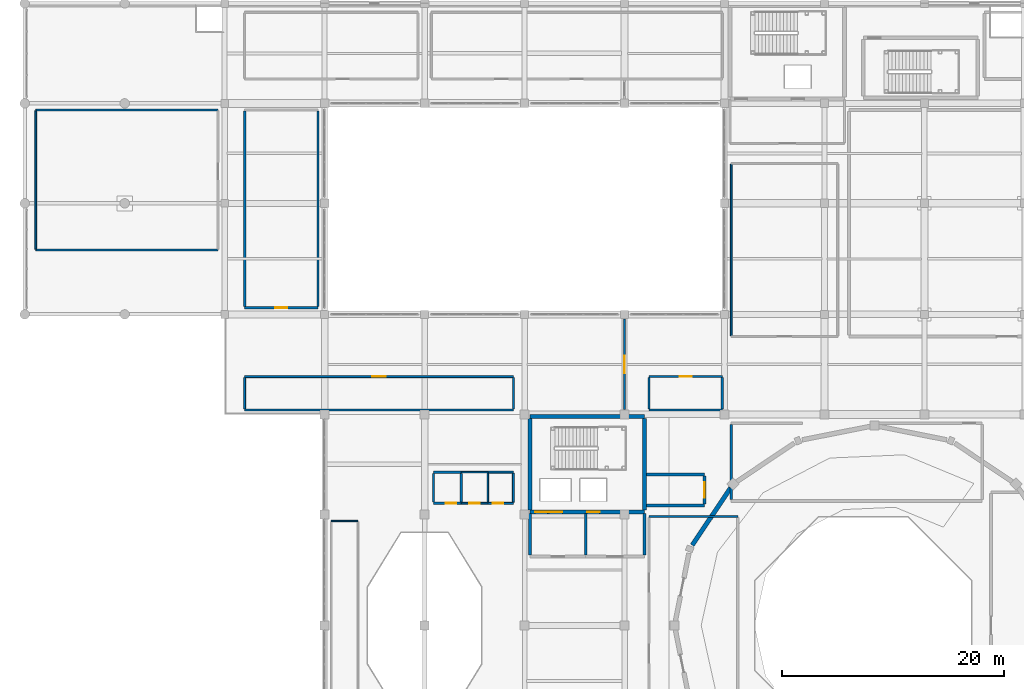
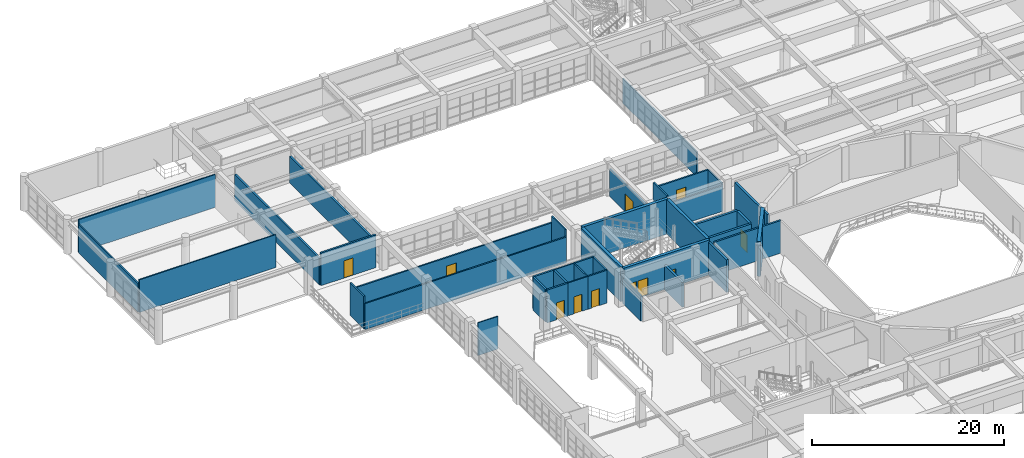
# One storey, part 111 of 133: 40 walls, 11 doors, 11 openings.
"""IFC4 building model written with IfcOpenShell, lengths in metres."""

import ifcopenshell
import ifcopenshell.guid

model = None  # the IFC model being written
_history = None  # IfcOwnerHistory: only IFC2X3 demands one
_inside = {}  # id of a spatial element -> (the spatial element, [elements in it])
_under = {}  # id of a project, library or spatial element -> (it, [spatial elements below it])
_declared = {}  # id of a project -> (the project, [libraries it declares])
_typed = {}  # id of a type object -> (the type object, [elements of that type])
_made_of = {}  # id of a material, layer set ... -> (it, [elements and type objects made of it])


def new_model(schema):
    """Start an empty IFC model of exactly this schema.

    Asked for "IFC4X3", IfcOpenShell would pick the latest addendum, in which some entities
    have other attributes; the version numbers below select the first issue.
    IFC2X3 requires an IfcOwnerHistory on every rooted entity: one is made here for all.
    """
    global model, _history
    if schema == "IFC4X3":
        model = ifcopenshell.file(schema_version=(4, 3, 0, 0))
    else:
        model = ifcopenshell.file(schema=schema)
    _inside.clear()
    _under.clear()
    _declared.clear()
    _typed.clear()
    _made_of.clear()
    _history = None
    if model.schema == "IFC2X3":
        org = make("IfcOrganization", Name="unknown")
        user = make(
            "IfcPersonAndOrganization",
            ThePerson=make("IfcPerson", FamilyName="unknown"),
            TheOrganization=org,
        )
        app = make(
            "IfcApplication",
            ApplicationDeveloper=org,
            Version="unknown",
            ApplicationFullName="unknown",
            ApplicationIdentifier="unknown",
        )
        _history = make(
            "IfcOwnerHistory",
            OwningUser=user,
            OwningApplication=app,
            ChangeAction="ADDED",
            CreationDate=0,
        )
    return model


def make(cls, **values):
    """One entity of the class cls with the attributes given. An attribute that is None is left unset."""
    return model.create_entity(
        cls, **{name: value for name, value in values.items() if value is not None}
    )


def rooted(cls, **values):
    """An entity with a GlobalId (a new one), such as an element, a storey or a relation."""
    return make(cls, GlobalId=ifcopenshell.guid.new(), OwnerHistory=_history, **values)


def si_unit(unit_type, name, prefix=None):
    """IfcSIUnit, for example si_unit("LENGTHUNIT", "METRE", prefix="MILLI")."""
    return make("IfcSIUnit", UnitType=unit_type, Prefix=prefix, Name=name)


def assignment(units):
    """IfcUnitAssignment: the units of a project."""
    return None if units is None else make("IfcUnitAssignment", Units=units)


def point(xyz):
    """IfcCartesianPoint."""
    return None if xyz is None else make("IfcCartesianPoint", Coordinates=xyz)


def direction(xyz):
    """IfcDirection."""
    return None if xyz is None else make("IfcDirection", DirectionRatios=xyz)


def frame(location, z_axis=None, x_axis=None):
    """IfcAxis2Placement3D, a coordinate frame: its origin and axes. An axis left out is left unset."""
    return make(
        "IfcAxis2Placement3D",
        Location=point(location),
        Axis=direction(z_axis),
        RefDirection=direction(x_axis),
    )


def frame_2d(location, x_axis=None):
    """IfcAxis2Placement2D, a coordinate frame in the plane: its origin and x axis."""
    return make(
        "IfcAxis2Placement2D", Location=point(location), RefDirection=direction(x_axis)
    )


def origin():
    """The frame at (0, 0, 0) with its axes left unset."""
    return frame((0.0, 0.0, 0.0))


def place(relative_to, where):
    """IfcLocalPlacement: puts the frame where relative to a parent placement (None: the world)."""
    return make(
        "IfcLocalPlacement", PlacementRelTo=relative_to, RelativePlacement=where
    )


def context(
    kind, dimensions, precision=None, world=None, true_north=None, identifier=None
):
    """IfcGeometricRepresentationContext, for example the 3D "Model" context."""
    return make(
        "IfcGeometricRepresentationContext",
        ContextIdentifier=identifier,
        ContextType=kind,
        CoordinateSpaceDimension=dimensions,
        Precision=precision,
        WorldCoordinateSystem=world,
        TrueNorth=true_north,
    )


def subcontext(parent, identifier, kind, view, scale=None):
    """IfcGeometricRepresentationSubContext, for example "Body" below "Model"."""
    return make(
        "IfcGeometricRepresentationSubContext",
        ContextIdentifier=identifier,
        ContextType=kind,
        ParentContext=parent,
        TargetScale=scale,
        TargetView=view,
    )


def project(units=None, contexts=None):
    """IfcProject with its units and contexts."""
    return rooted(
        "IfcProject",
        Name="project",
        RepresentationContexts=contexts,
        UnitsInContext=assignment(units),
    )


def spatial(cls, under=None, at=None, **own):
    """A site, building, storey or space (cls), placed at a placement, below another one or the project."""
    s = rooted(cls, ObjectPlacement=at, **own)
    if under is not None:
        _under.setdefault(under.id(), (under, []))[1].append(s)
    return s


def profile(cls, at=None, kind="AREA", **sizes):
    """A parametric profile (cls). Its sizes go by their IFC names, for example OverallWidth=200.0."""
    return make(cls, ProfileType=kind, Position=at, **sizes)


def rectangle(**sizes):
    """IfcRectangleProfileDef."""
    return profile("IfcRectangleProfileDef", **sizes)


def extrude(swept, where, along, depth):
    """IfcExtrudedAreaSolid: the profile swept, set in the frame where, extruded along a direction by depth."""
    return make(
        "IfcExtrudedAreaSolid",
        SweptArea=swept,
        Position=where,
        ExtrudedDirection=direction(along),
        Depth=depth,
    )


def shape(context_of_items, identifier, shape_type, items):
    """IfcShapeRepresentation: the items that make up one representation, for example the "Body"."""
    return make(
        "IfcShapeRepresentation",
        ContextOfItems=context_of_items,
        RepresentationIdentifier=identifier,
        RepresentationType=shape_type,
        Items=items,
    )


def material(Name=None, Category=None):
    """IfcMaterial."""
    return make("IfcMaterial", Name=Name, Category=Category)


def layer(
    of_material, thickness, ventilated=None, Name=None, Category=None, Priority=None
):
    """IfcMaterialLayer: one layer of a wall or slab, of a material (None: an air gap)."""
    return make(
        "IfcMaterialLayer",
        Material=of_material,
        LayerThickness=thickness,
        IsVentilated=ventilated,
        Name=Name,
        Category=Category,
        Priority=Priority,
    )


def layer_set(layers, Name=None):
    """IfcMaterialLayerSet."""
    return make("IfcMaterialLayerSet", MaterialLayers=layers, LayerSetName=Name)


def made_of(thing, what):
    """Note that an element or type object is made of a material, layer set ...; save() writes the relation."""
    if what is not None:
        _made_of.setdefault(what.id(), (what, []))[1].append(thing)
    return thing


def type_object(cls, material=None, **own):
    """A type object (cls), such as IfcWallType, which elements share."""
    return made_of(rooted(cls, **own), material)


def element(
    cls,
    number,
    at=None,
    inside=None,
    cuts=None,
    type_object=None,
    material=None,
    context=None,
    identifier="Body",
    shape_type=None,
    held_by="IfcProductDefinitionShape",
    body=None,
    shapes=None,
    **own,
):
    """One element of the class cls, such as IfcWall. Its Tag is "e" and its number.

    at: its placement. inside: the storey or other place that contains it. cuts: it is an
    opening in that element (IfcRelVoidsElement). A single representation is given by context,
    identifier, shape_type and body (its items); several are given by shapes. held_by: the class
    of the entity that holds the representations. save() writes the other relations.
    """
    e = rooted(cls, Tag="e%d" % number, ObjectPlacement=at, **own)
    if body is not None:
        shapes = [shape(context, identifier, shape_type, body)]
    if shapes is not None:
        e.Representation = make(held_by, Representations=shapes)
    if inside is not None:
        _inside.setdefault(inside.id(), (inside, []))[1].append(e)
    if cuts is not None:
        rooted(
            "IfcRelVoidsElement", RelatingBuildingElement=cuts, RelatedOpeningElement=e
        )
    if type_object is not None:
        _typed.setdefault(type_object.id(), (type_object, []))[1].append(e)
    return made_of(e, material)


def fill(opening, filler):
    """IfcRelFillsElement: the door or window that sits in an opening."""
    return rooted(
        "IfcRelFillsElement",
        RelatingOpeningElement=opening,
        RelatedBuildingElement=filler,
    )


def aggregate(whole, parts):
    """IfcRelAggregates: a whole, such as a stair, and the parts it consists of."""
    return rooted("IfcRelAggregates", RelatingObject=whole, RelatedObjects=parts)


def save(model, path):
    """Write the relations noted so far, then the file.

    IfcRelAggregates (storeys below a building ...), IfcRelContainedInSpatialStructure (elements
    in a storey), IfcRelDefinesByType, IfcRelAssociatesMaterial and IfcRelDeclares: one each for
    every whole, place, type object, material and project.
    """
    for whole, parts in _under.values():
        aggregate(whole, parts)
    for where, things in _inside.values():
        rooted(
            "IfcRelContainedInSpatialStructure",
            RelatedElements=things,
            RelatingStructure=where,
        )
    for kind, things in _typed.values():
        rooted("IfcRelDefinesByType", RelatedObjects=things, RelatingType=kind)
    for what, things in _made_of.values():
        rooted("IfcRelAssociatesMaterial", RelatedObjects=things, RelatingMaterial=what)
    for by, libraries in _declared.values():
        rooted("IfcRelDeclares", RelatingContext=by, RelatedDefinitions=libraries)
    model.write(path)


model = new_model("IFC4")

# Units and contexts
model_context = context("Model", 3, precision=1e-05, world=origin(), true_north=direction((0.0, 1.0)))
body_context = subcontext(model_context, "Body", "Model", "MODEL_VIEW")
ifc_project = project(units=[si_unit("LENGTHUNIT", "METRE"), si_unit("AREAUNIT", "SQUARE_METRE"), si_unit("VOLUMEUNIT", "CUBIC_METRE"), si_unit("PLANEANGLEUNIT", "RADIAN"), si_unit("MASSUNIT", "GRAM", prefix="KILO")], contexts=[model_context])

# Site, building, storey
site_placement = place(None, origin())
site = spatial("IfcSite", under=ifc_project, at=site_placement, CompositionType="ELEMENT")
building_placement = place(site_placement, origin())
building = spatial("IfcBuilding", under=site, at=building_placement, Name="Miravela Opera House", CompositionType="ELEMENT")
storey_placement = place(building_placement, frame((0.0, 0.0, 5.10009765625)))
storey = spatial("IfcBuildingStorey", under=building, at=storey_placement, Name="L01", CompositionType="ELEMENT", Elevation=5.10009765625)

# Wall, opening, door
ifc_material_1 = material(Name="Sanitary chase acoustic plumbing wall")
ifc_layer_1 = layer(ifc_material_1, 0.139892578125)
ifc_layer_set_1 = layer_set([ifc_layer_1])
wall_type_1 = type_object("IfcWallType", Name="ARC-PLW-150", PredefinedType="PLUMBINGWALL", material=ifc_layer_set_1)
wall_1_placement = place(storey_placement, frame((39.300048828125, 67.0, 0.0), z_axis=(0.0, 0.0, 1.0), x_axis=(1.0, 0.0, 0.0)))
wall_1 = element("IfcWall", 1, at=wall_1_placement, inside=storey, type_object=wall_type_1, Name="Female Public WC L01 Partition South", PredefinedType="PLUMBINGWALL", context=body_context, shape_type="SweptSolid", body=[
    extrude(rectangle(XDim=2.39990234375, YDim=0.139892578125, at=frame_2d((1.199951171875, 0.0))), origin(), (0.0, 0.0, 1.0), 4.159912109375),
])
opening_1_placement = place(wall_1_placement, frame((0.72509765625, 0.0, 0.0)))
opening_1 = element("IfcOpeningElement", 2, at=opening_1_placement, cuts=wall_1, Name="Opening ID-01", PredefinedType="OPENING", context=body_context, shape_type="SweptSolid", body=[
    extrude(rectangle(XDim=0.949951171875, YDim=2.14990234375, at=frame_2d((0.47509765625, 1.074951171875))), frame((0.0, 0.079833984375, 0.0), z_axis=(0.0, -1.0, 0.0), x_axis=(1.0, 0.0, 0.0)), (0.0, 0.0, 1.0), 0.159912109375),
])
ifc_material_2 = material(Name="Solid mahogany acoustic room door")
door_type_1 = type_object("IfcDoorType", Name="ARC-DR-950X2150", OperationType="NOTDEFINED", PredefinedType="DOOR", material=ifc_material_2)
door_1_placement = place(opening_1_placement, origin())
door_1 = element("IfcDoor", 3, at=door_1_placement, inside=storey, type_object=door_type_1, Name="Female Public WC L01 Entry Door IDR-L01-0160", OperationType="SINGLE_SWING_RIGHT", OverallHeight=2.14990234375, OverallWidth=0.949951171875, PredefinedType="DOOR", context=body_context, shape_type="SweptSolid", body=[
    extrude(rectangle(XDim=0.949951171875, YDim=2.14990234375, at=frame_2d((0.47509765625, 1.074951171875))), frame((0.0, 0.02490234375, 0.0), z_axis=(0.0, -1.0, 0.0), x_axis=(1.0, 0.0, 0.0)), (0.0, 0.0, 1.0), 0.050048828125),
])
fill(opening_1, door_1)

# Walls
wall_2_placement = place(storey_placement, frame((39.300048828125, 69.800048828125, 0.0), z_axis=(0.0, 0.0, 1.0), x_axis=(1.0, 0.0, 0.0)))
element("IfcWall", 4, at=wall_2_placement, inside=storey, type_object=wall_type_1, Name="Female Public WC L01 Partition North", PredefinedType="PLUMBINGWALL", context=body_context, shape_type="SweptSolid", body=[
    extrude(rectangle(XDim=2.39990234375, YDim=0.139892578125, at=frame_2d((1.199951171875, 0.0))), origin(), (0.0, 0.0, 1.0), 4.159912109375),
])
wall_3_placement = place(storey_placement, frame((41.699951171875, 67.070068359375, 0.0), z_axis=(0.0, 0.0, 1.0), x_axis=(0.0, 1.0, 0.0)))
element("IfcWall", 5, at=wall_3_placement, inside=storey, type_object=wall_type_1, Name="Female Public WC L01 Partition East", PredefinedType="PLUMBINGWALL", context=body_context, shape_type="SweptSolid", body=[
    extrude(rectangle(XDim=2.659912109375, YDim=0.139892578125, at=frame_2d((1.330078125, 0.0))), origin(), (0.0, 0.0, 1.0), 4.159912109375),
])

# Wall, opening, door
ifc_material_3 = material(Name="Public washroom wet-service chase wall")
ifc_layer_2 = layer(ifc_material_3, 0.179931640625)
ifc_layer_set_2 = layer_set([ifc_layer_2])
wall_type_2 = type_object("IfcWallType", Name="ARC-PLW-180", PredefinedType="PLUMBINGWALL", material=ifc_layer_set_2)
wall_4_placement = place(storey_placement, frame((41.699951171875, 67.0, 0.0), z_axis=(0.0, 0.0, 1.0), x_axis=(1.0, 0.0, 0.0)))
wall_4 = element("IfcWall", 6, at=wall_4_placement, inside=storey, type_object=wall_type_2, Name="Male Public WC L01 Partition South", PredefinedType="PLUMBINGWALL", context=body_context, shape_type="SweptSolid", body=[
    extrude(rectangle(XDim=2.300048828125, YDim=0.179931640625, at=frame_2d((1.14990234375, 0.0))), origin(), (0.0, 0.0, 1.0), 4.159912109375),
])
opening_2_placement = place(wall_4_placement, frame((0.4326171875, 0.0, 0.0)))
opening_2 = element("IfcOpeningElement", 7, at=opening_2_placement, cuts=wall_4, Name="Opening ID-01", PredefinedType="OPENING", context=body_context, shape_type="SweptSolid", body=[
    extrude(rectangle(XDim=0.949951171875, YDim=2.14990234375, at=frame_2d((0.47509765625, 1.074951171875))), frame((0.0, 0.099853515625, 0.0), z_axis=(0.0, -1.0, 0.0), x_axis=(1.0, 0.0, 0.0)), (0.0, 0.0, 1.0), 0.199951171875),
])
door_2_placement = place(opening_2_placement, origin())
door_2 = element("IfcDoor", 8, at=door_2_placement, inside=storey, type_object=door_type_1, Name="Male Public WC L01 Entry Door IDR-L01-0161", OperationType="SINGLE_SWING_LEFT", OverallHeight=2.14990234375, OverallWidth=0.949951171875, PredefinedType="DOOR", context=body_context, shape_type="SweptSolid", body=[
    extrude(rectangle(XDim=0.949951171875, YDim=2.14990234375, at=frame_2d((0.47509765625, 1.074951171875))), frame((0.0, 0.02490234375, 0.0), z_axis=(0.0, -1.0, 0.0), x_axis=(1.0, 0.0, 0.0)), (0.0, 0.0, 1.0), 0.050048828125),
])
fill(opening_2, door_2)

# Walls
wall_5_placement = place(storey_placement, frame((41.699951171875, 69.800048828125, 0.0), z_axis=(0.0, 0.0, 1.0), x_axis=(1.0, 0.0, 0.0)))
element("IfcWall", 9, at=wall_5_placement, inside=storey, type_object=wall_type_2, Name="Male Public WC L01 Partition North", PredefinedType="PLUMBINGWALL", context=body_context, shape_type="SweptSolid", body=[
    extrude(rectangle(XDim=2.300048828125, YDim=0.179931640625, at=frame_2d((1.14990234375, 0.0))), origin(), (0.0, 0.0, 1.0), 4.159912109375),
])
wall_6_placement = place(storey_placement, frame((44.0, 67.090087890625, 0.0), z_axis=(0.0, 0.0, 1.0), x_axis=(0.0, 1.0, 0.0)))
element("IfcWall", 10, at=wall_6_placement, inside=storey, type_object=wall_type_2, Name="Male Public WC L01 Partition East", PredefinedType="PLUMBINGWALL", context=body_context, shape_type="SweptSolid", body=[
    extrude(rectangle(XDim=2.619873046875, YDim=0.179931640625, at=frame_2d((1.31005859375, 0.0))), origin(), (0.0, 0.0, 1.0), 4.159912109375),
])

# Wall, opening, door
ifc_material_4 = material(Name="Dressing suite sanitary chase wall")
ifc_layer_3 = layer(ifc_material_4, 0.219970703125)
ifc_layer_set_3 = layer_set([ifc_layer_3])
wall_type_3 = type_object("IfcWallType", Name="ARC-PLW-215", PredefinedType="PLUMBINGWALL", material=ifc_layer_set_3)
wall_7_placement = place(storey_placement, frame((36.800048828125, 67.0, 0.0), z_axis=(0.0, 0.0, 1.0), x_axis=(1.0, 0.0, 0.0)))
wall_7 = element("IfcWall", 11, at=wall_7_placement, inside=storey, type_object=wall_type_3, Name="Accessible WC L01 Partition South", PredefinedType="PLUMBINGWALL", context=body_context, shape_type="SweptSolid", body=[
    extrude(rectangle(XDim=2.5, YDim=0.219970703125, at=frame_2d((1.25, 0.0))), origin(), (0.0, 0.0, 1.0), 4.159912109375),
])
opening_3_placement = place(wall_7_placement, frame((1.1123046875, 0.0, 0.0)))
opening_3 = element("IfcOpeningElement", 12, at=opening_3_placement, cuts=wall_7, Name="Opening ID-01", PredefinedType="OPENING", context=body_context, shape_type="SweptSolid", body=[
    extrude(rectangle(XDim=0.949951171875, YDim=2.14990234375, at=frame_2d((0.47509765625, 1.074951171875))), frame((0.0, 0.119873046875, 0.0), z_axis=(0.0, -1.0, 0.0), x_axis=(1.0, 0.0, 0.0)), (0.0, 0.0, 1.0), 0.239990234375),
])
door_3_placement = place(opening_3_placement, origin())
door_3 = element("IfcDoor", 13, at=door_3_placement, inside=storey, type_object=door_type_1, Name="Accessible WC L01 Entry Door IDR-L01-0159", OperationType="SINGLE_SWING_LEFT", OverallHeight=2.14990234375, OverallWidth=0.949951171875, PredefinedType="DOOR", context=body_context, shape_type="SweptSolid", body=[
    extrude(rectangle(XDim=0.949951171875, YDim=2.14990234375, at=frame_2d((0.47509765625, 1.074951171875))), frame((0.0, 0.02490234375, 0.0), z_axis=(0.0, -1.0, 0.0), x_axis=(1.0, 0.0, 0.0)), (0.0, 0.0, 1.0), 0.050048828125),
])
fill(opening_3, door_3)

# Walls
wall_8_placement = place(storey_placement, frame((36.800048828125, 69.800048828125, 0.0), z_axis=(0.0, 0.0, 1.0), x_axis=(1.0, 0.0, 0.0)))
element("IfcWall", 14, at=wall_8_placement, inside=storey, type_object=wall_type_3, Name="Accessible WC L01 Partition North", PredefinedType="PLUMBINGWALL", context=body_context, shape_type="SweptSolid", body=[
    extrude(rectangle(XDim=2.5, YDim=0.219970703125, at=frame_2d((1.25, 0.0))), origin(), (0.0, 0.0, 1.0), 4.159912109375),
])
for number, where, z_axis, x_axis, name in (
    (15, (36.800048828125, 67.110107421875, 0.0), (0.0, 0.0, 1.0), (0.0, 1.0, 0.0), "Accessible WC L01 Partition West"),
    (16, (39.300048828125, 67.110107421875, 0.0), (0.0, 0.0, 1.0), (0.0, 1.0, 0.0), "Accessible WC L01 Partition East"),
):
    element("IfcWall", number, at=place(storey_placement, frame(where, z_axis=z_axis, x_axis=x_axis)), inside=storey, type_object=wall_type_3, Name=name, PredefinedType="PLUMBINGWALL", context=body_context, shape_type="SweptSolid", body=[
        extrude(rectangle(XDim=2.579833984375, YDim=0.219970703125, at=frame_2d((1.2900390625, 0.0))), origin(), (0.0, 0.0, 1.0), 4.159912109375),
    ])
ifc_material_5 = material(Name="Double-layer acoustic gypsum partition")
ifc_layer_4 = layer(ifc_material_5, 0.110107421875)
ifc_layer_set_4 = layer_set([ifc_layer_4])
wall_type_4 = type_object("IfcWallType", Name="ARC-PT-110", PredefinedType="PARTITIONING", material=ifc_layer_set_4)
wall_9_placement = place(storey_placement, frame((27.60009765625, 65.39990234375, 0.0), z_axis=(0.0, 0.0, 1.0), x_axis=(1.0, 0.0, 0.0)))
element("IfcWall", 17, at=wall_9_placement, inside=storey, type_object=wall_type_4, Name="Royal Box Reception and Portrait Gallery Partition North", PredefinedType="PARTITIONING", context=body_context, shape_type="SweptSolid", body=[
    extrude(rectangle(XDim=2.39990234375, YDim=0.110107421875, at=frame_2d((1.199951171875, 0.0))), origin(), (0.0, 0.0, 1.0), 4.159912109375),
])
ifc_material_6 = material(Name="Studio double-stud acoustic partition")
ifc_layer_5 = layer(ifc_material_6, 0.14990234375)
ifc_layer_set_5 = layer_set([ifc_layer_5])
wall_type_5 = type_object("IfcWallType", Name="ARC-PT-145", PredefinedType="PARTITIONING", material=ifc_layer_set_5)
for number, where, z_axis, x_axis, name in (
    (18, (1.0, 89.800048828125, 0.0), (0.0, 0.0, 1.0), (1.0, 0.0, 0.0), "Community Opera Lecture Room Partition South"),
    (19, (1.0, 102.39990234375, 0.0), (0.0, 0.0, 1.0), (1.0, 0.0, 0.0), "Community Opera Lecture Room Partition North"),
):
    element("IfcWall", number, at=place(storey_placement, frame(where, z_axis=z_axis, x_axis=x_axis)), inside=storey, type_object=wall_type_5, Name=name, PredefinedType="PARTITIONING", context=body_context, shape_type="SweptSolid", body=[
        extrude(rectangle(XDim=16.39990234375, YDim=0.14990234375, at=frame_2d((8.199951171875, 0.0))), origin(), (0.0, 0.0, 1.0), 4.159912109375),
    ])
wall_10_placement = place(storey_placement, frame((1.0, 89.875, 0.0), z_axis=(0.0, 0.0, 1.0), x_axis=(0.0, 1.0, 0.0)))
element("IfcWall", 20, at=wall_10_placement, inside=storey, type_object=wall_type_5, Name="Community Opera Lecture Room Partition West", PredefinedType="PARTITIONING", context=body_context, shape_type="SweptSolid", body=[
    extrude(rectangle(XDim=12.449951171875, YDim=0.14990234375, at=frame_2d((6.22509765625, 0.0))), origin(), (0.0, 0.0, 1.0), 3.616943359375),
])
wall_11_placement = place(storey_placement, frame((63.60009765625, 82.074951171875, 0.0), z_axis=(0.0, 0.0, 1.0), x_axis=(0.0, 1.0, 0.0)))
element("IfcWall", 21, at=wall_11_placement, inside=storey, type_object=wall_type_5, Name="Chamber Strings Practice Studio Partition West", PredefinedType="PARTITIONING", context=body_context, shape_type="SweptSolid", body=[
    extrude(rectangle(XDim=15.449951171875, YDim=0.14990234375, at=frame_2d((7.72509765625, 0.0))), origin(), (0.0, 0.0, 1.0), 3.139892578125),
])
ifc_material_7 = material(Name="Rehearsal isolated acoustic partition")
ifc_layer_6 = layer(ifc_material_7, 0.169921875)
ifc_layer_set_6 = layer_set([ifc_layer_6])
wall_type_6 = type_object("IfcWallType", Name="ARC-PT-170", PredefinedType="PARTITIONING", material=ifc_layer_set_6)
wall_12_placement = place(storey_placement, frame((19.800048828125, 75.39990234375, 0.0), z_axis=(0.0, 0.0, 1.0), x_axis=(1.0, 0.0, 0.0)))
element("IfcWall", 22, at=wall_12_placement, inside=storey, type_object=wall_type_6, Name="Strings Sectional Rehearsal Studio Partition South", PredefinedType="PARTITIONING", context=body_context, shape_type="SweptSolid", body=[
    extrude(rectangle(XDim=24.199951171875, YDim=0.169921875, at=frame_2d((12.10009765625, 0.0))), origin(), (0.0, 0.0, 1.0), 3.289794921875),
])

# Wall, opening, door
wall_13_placement = place(storey_placement, frame((19.800048828125, 78.39990234375, 0.0), z_axis=(0.0, 0.0, 1.0), x_axis=(1.0, 0.0, 0.0)))
wall_13 = element("IfcWall", 23, at=wall_13_placement, inside=storey, type_object=wall_type_6, Name="Strings Sectional Rehearsal Studio Partition North", PredefinedType="PARTITIONING", context=body_context, shape_type="SweptSolid", body=[
    extrude(rectangle(XDim=24.199951171875, YDim=0.169921875, at=frame_2d((12.10009765625, 0.0))), origin(), (0.0, 0.0, 1.0), 3.289794921875),
])
opening_4_placement = place(wall_13_placement, frame((11.5, 0.0, 0.0)))
opening_4 = element("IfcOpeningElement", 24, at=opening_4_placement, cuts=wall_13, Name="Opening ID-04", PredefinedType="OPENING", context=body_context, shape_type="SweptSolid", body=[
    extrude(rectangle(XDim=1.199951171875, YDim=2.199951171875, at=frame_2d((0.60009765625, 1.10009765625))), frame((0.0, 0.094970703125, 0.0), z_axis=(0.0, -1.0, 0.0), x_axis=(1.0, 0.0, 0.0)), (0.0, 0.0, 1.0), 0.18994140625),
])
ifc_material_8 = material(Name="Wide acoustic ensemble door")
door_type_2 = type_object("IfcDoorType", Name="ARC-DR-1200X2200", OperationType="NOTDEFINED", PredefinedType="DOOR", material=ifc_material_8)
door_4_placement = place(opening_4_placement, origin())
door_4 = element("IfcDoor", 25, at=door_4_placement, inside=storey, type_object=door_type_2, Name="Strings Sectional Rehearsal Studio Entry Door IDR-L01-0186", OperationType="SINGLE_SWING_LEFT", OverallHeight=2.199951171875, OverallWidth=1.199951171875, PredefinedType="DOOR", context=body_context, shape_type="SweptSolid", body=[
    extrude(rectangle(XDim=1.199951171875, YDim=2.199951171875, at=frame_2d((0.60009765625, 1.10009765625))), frame((0.0, 0.02490234375, 0.0), z_axis=(0.0, -1.0, 0.0), x_axis=(1.0, 0.0, 0.0)), (0.0, 0.0, 1.0), 0.050048828125),
])
fill(opening_4, door_4)

# Walls
for number, where, z_axis, x_axis, name in (
    (26, (19.800048828125, 75.485107421875, 0.0), (0.0, 0.0, 1.0), (0.0, 1.0, 0.0), "Strings Sectional Rehearsal Studio Partition West"),
    (27, (44.0, 75.485107421875, 0.0), (0.0, 0.0, 1.0), (0.0, 1.0, 0.0), "Strings Sectional Rehearsal Studio Partition East"),
):
    element("IfcWall", number, at=place(storey_placement, frame(where, z_axis=z_axis, x_axis=x_axis)), inside=storey, type_object=wall_type_6, Name=name, PredefinedType="PARTITIONING", context=body_context, shape_type="SweptSolid", body=[
        extrude(rectangle(XDim=2.829833984375, YDim=0.169921875, at=frame_2d((1.4150390625, 0.0))), origin(), (0.0, 0.0, 1.0), 4.159912109375),
    ])
ifc_material_9 = material(Name="Corridor fire-resisting masonry partition", Category="masonry")
ifc_layer_7 = layer(ifc_material_9, 0.18994140625)
ifc_layer_set_7 = layer_set([ifc_layer_7])
wall_type_7 = type_object("IfcWallType", Name="ARC-PT-190", PredefinedType="PARTITIONING", material=ifc_layer_set_7)
wall_14_placement = place(storey_placement, frame((56.199951171875, 75.39990234375, 0.0), z_axis=(0.0, 0.0, 1.0), x_axis=(1.0, 0.0, 0.0)))
element("IfcWall", 28, at=wall_14_placement, inside=storey, type_object=wall_type_7, Name="Woodwind Sectional Rehearsal Studio Partition South", PredefinedType="PARTITIONING", context=body_context, shape_type="SweptSolid", body=[
    extrude(rectangle(XDim=6.60009765625, YDim=0.18994140625, at=frame_2d((3.300048828125, 0.0))), origin(), (0.0, 0.0, 1.0), 3.239990234375),
])

# Wall, opening, door
wall_15_placement = place(storey_placement, frame((56.199951171875, 78.39990234375, 0.0), z_axis=(0.0, 0.0, 1.0), x_axis=(1.0, 0.0, 0.0)))
wall_15 = element("IfcWall", 29, at=wall_15_placement, inside=storey, type_object=wall_type_7, Name="Woodwind Sectional Rehearsal Studio Partition North", PredefinedType="PARTITIONING", context=body_context, shape_type="SweptSolid", body=[
    extrude(rectangle(XDim=6.60009765625, YDim=0.18994140625, at=frame_2d((3.300048828125, 0.0))), origin(), (0.0, 0.0, 1.0), 3.43994140625),
])
opening_5_placement = place(wall_15_placement, frame((2.75, 0.0, 0.0)))
opening_5 = element("IfcOpeningElement", 30, at=opening_5_placement, cuts=wall_15, Name="Opening ID-03", PredefinedType="OPENING", context=body_context, shape_type="SweptSolid", body=[
    extrude(rectangle(XDim=1.10009765625, YDim=2.199951171875, at=frame_2d((0.550048828125, 1.10009765625))), frame((0.0, 0.10498046875, 0.0), z_axis=(0.0, -1.0, 0.0), x_axis=(1.0, 0.0, 0.0)), (0.0, 0.0, 1.0), 0.2099609375),
])
ifc_material_10 = material(Name="Acoustic hardwood studio door", Category="wood")
door_type_3 = type_object("IfcDoorType", Name="ARC-DR-1100X2200", OperationType="NOTDEFINED", PredefinedType="DOOR", material=ifc_material_10)
door_5_placement = place(opening_5_placement, origin())
door_5 = element("IfcDoor", 31, at=door_5_placement, inside=storey, type_object=door_type_3, Name="Woodwind Sectional Rehearsal Studio Entry Door IDR-L01-0187", OperationType="SINGLE_SWING_RIGHT", OverallHeight=2.199951171875, OverallWidth=1.10009765625, PredefinedType="DOOR", context=body_context, shape_type="SweptSolid", body=[
    extrude(rectangle(XDim=1.10009765625, YDim=2.199951171875, at=frame_2d((0.550048828125, 1.10009765625))), frame((0.0, 0.02490234375, 0.0), z_axis=(0.0, -1.0, 0.0), x_axis=(1.0, 0.0, 0.0)), (0.0, 0.0, 1.0), 0.050048828125),
])
fill(opening_5, door_5)

# Walls
wall_16_placement = place(storey_placement, frame((56.199951171875, 75.4951171875, 0.0), z_axis=(0.0, 0.0, 1.0), x_axis=(0.0, 1.0, 0.0)))
element("IfcWall", 32, at=wall_16_placement, inside=storey, type_object=wall_type_7, Name="Woodwind Sectional Rehearsal Studio Partition West", PredefinedType="PARTITIONING", context=body_context, shape_type="SweptSolid", body=[
    extrude(rectangle(XDim=2.809814453125, YDim=0.18994140625, at=frame_2d((1.40478515625, 0.0))), origin(), (0.0, 0.0, 1.0), 4.159912109375),
])
wall_17_placement = place(storey_placement, frame((62.800048828125, 75.4951171875, 0.0), z_axis=(0.0, 0.0, 1.0), x_axis=(0.0, 1.0, 0.0)))
element("IfcWall", 33, at=wall_17_placement, inside=storey, type_object=wall_type_7, Name="Woodwind Sectional Rehearsal Studio Partition East", PredefinedType="PARTITIONING", context=body_context, shape_type="SweptSolid", body=[
    extrude(rectangle(XDim=2.809814453125, YDim=0.18994140625, at=frame_2d((1.40478515625, 0.0))), origin(), (0.0, 0.0, 1.0), 3.43994140625),
])

# Wall, opening, door
wall_18_placement = place(storey_placement, frame((54.0, 75.429931640625, 0.0), z_axis=(0.0, 0.0, 1.0), x_axis=(0.0, 1.0, 0.0)))
wall_18 = element("IfcWall", 34, at=wall_18_placement, inside=storey, type_object=wall_type_7, Name="Corridor Fire Smoke Compartment Partition PT-SMOKE-L01-0960", PredefinedType="PARTITIONING", context=body_context, shape_type="SweptSolid", body=[
    extrude(rectangle(XDim=8.14013671875, YDim=0.18994140625, at=frame_2d((4.070068359375, 0.0))), origin(), (0.0, 0.0, 1.0), 3.489990234375),
])
opening_6_placement = place(wall_18_placement, frame((3.27001953125, 0.0, 0.0)))
opening_6 = element("IfcOpeningElement", 35, at=opening_6_placement, cuts=wall_18, Name="Opening FD-04", PredefinedType="OPENING", context=body_context, shape_type="SweptSolid", body=[
    extrude(rectangle(XDim=1.60009765625, YDim=2.25, at=frame_2d((0.800048828125, 1.125))), frame((0.0, 0.10498046875, 0.0), z_axis=(0.0, -1.0, 0.0), x_axis=(1.0, 0.0, 0.0)), (0.0, 0.0, 1.0), 0.2099609375),
])
ifc_material_11 = material(Name="Fire-rated rehearsal/vomitory double door")
door_type_4 = type_object("IfcDoorType", Name="ARC-FD-1600X2250", OperationType="NOTDEFINED", PredefinedType="DOOR", material=ifc_material_11)
door_6_placement = place(opening_6_placement, frame((1.60009765625, 0.0, 0.0), z_axis=(0.0, 0.0, 1.0), x_axis=(-1.0, 0.0, 0.0)))
door_6 = element("IfcDoor", 36, at=door_6_placement, inside=storey, type_object=door_type_4, Name="Corridor Smoke Compartment Door 04 IDR-L01-0350", OperationType="DOUBLE_DOOR_SINGLE_SWING", OverallHeight=2.25, OverallWidth=1.60009765625, PredefinedType="DOOR", context=body_context, shape_type="SweptSolid", body=[
    extrude(rectangle(XDim=1.60009765625, YDim=2.25, at=frame_2d((0.800048828125, 1.125))), frame((0.0, 0.02490234375, 0.0), z_axis=(0.0, -1.0, 0.0), x_axis=(1.0, 0.0, 0.0)), (0.0, 0.0, 1.0), 0.050048828125),
])
fill(opening_6, door_6)

ifc_material_12 = material(Name="Workshop fire-resisting block partition")
ifc_layer_8 = layer(ifc_material_12, 0.2099609375)
ifc_layer_set_8 = layer_set([ifc_layer_8])
wall_type_8 = type_object("IfcWallType", Name="ARC-PT-210", PredefinedType="PARTITIONING", material=ifc_layer_set_8)
wall_19_placement = place(storey_placement, frame((19.800048828125, 84.60009765625, 0.0), z_axis=(0.0, 0.0, 1.0), x_axis=(1.0, 0.0, 0.0)))
wall_19 = element("IfcWall", 37, at=wall_19_placement, inside=storey, type_object=wall_type_8, Name="Soloist Vocal Warm-Up Suite Partition South", PredefinedType="PARTITIONING", context=body_context, shape_type="SweptSolid", body=[
    extrude(rectangle(XDim=6.599853515625, YDim=0.2099609375, at=frame_2d((3.2998046875, 0.0))), origin(), (0.0, 0.0, 1.0), 4.159912109375),
])
opening_7_placement = place(wall_19_placement, frame((2.75, 0.0, 0.0)))
opening_7 = element("IfcOpeningElement", 38, at=opening_7_placement, cuts=wall_19, Name="Opening ID-03", PredefinedType="OPENING", context=body_context, shape_type="SweptSolid", body=[
    extrude(rectangle(XDim=1.10009765625, YDim=2.199951171875, at=frame_2d((0.550048828125, 1.10009765625))), frame((0.0, 0.114990234375, 0.0), z_axis=(0.0, -1.0, 0.0), x_axis=(1.0, 0.0, 0.0)), (0.0, 0.0, 1.0), 0.22998046875),
])
door_7_placement = place(opening_7_placement, origin())
door_7 = element("IfcDoor", 39, at=door_7_placement, inside=storey, type_object=door_type_3, Name="Soloist Vocal Warm-Up Suite Entry Door IDR-L01-0188", OperationType="SINGLE_SWING_LEFT", OverallHeight=2.199951171875, OverallWidth=1.10009765625, PredefinedType="DOOR", context=body_context, shape_type="SweptSolid", body=[
    extrude(rectangle(XDim=1.10009765625, YDim=2.199951171875, at=frame_2d((0.550048828125, 1.10009765625))), frame((0.0, 0.02490234375, 0.0), z_axis=(0.0, -1.0, 0.0), x_axis=(1.0, 0.0, 0.0)), (0.0, 0.0, 1.0), 0.050048828125),
])
fill(opening_7, door_7)

# Walls
for number, where, z_axis, x_axis, name in (
    (40, (19.800048828125, 84.705078125, 0.0), (0.0, 0.0, 1.0), (0.0, 1.0, 0.0), "Soloist Vocal Warm-Up Suite Partition West"),
    (41, (26.39990234375, 84.705078125, 0.0), (0.0, 0.0, 1.0), (0.0, 1.0, 0.0), "Soloist Vocal Warm-Up Suite Partition East"),
):
    element("IfcWall", number, at=place(storey_placement, frame(where, z_axis=z_axis, x_axis=x_axis)), inside=storey, type_object=wall_type_8, Name=name, PredefinedType="PARTITIONING", context=body_context, shape_type="SweptSolid", body=[
        extrude(rectangle(XDim=17.58984375, YDim=0.2099609375, at=frame_2d((8.794921875, 0.0))), origin(), (0.0, 0.0, 1.0), 3.389892578125),
    ])
wall_20_placement = place(storey_placement, frame((56.199951171875, 65.800048828125, 0.0), z_axis=(0.0, 0.0, 1.0), x_axis=(1.0, 0.0, 0.0)))
element("IfcWall", 42, at=wall_20_placement, inside=storey, type_object=wall_type_8, Name="Opera Auditorium West Box Salon Partition North", PredefinedType="PARTITIONING", context=body_context, shape_type="SweptSolid", body=[
    extrude(rectangle(XDim=8.0, YDim=0.2099609375, at=frame_2d((4.0, 0.0))), origin(), (0.0, 0.0, 1.0), 4.159912109375),
])
ifc_material_13 = material(Name="Firefighting lobby compartment wall")
ifc_layer_9 = layer(ifc_material_13, 0.25)
ifc_layer_set_9 = layer_set([ifc_layer_9])
wall_type_9 = type_object("IfcWallType", Name="ARC-PT-220", PredefinedType="PARTITIONING", material=ifc_layer_set_9)
for number, where, z_axis, x_axis, name in (
    (43, (45.5, 62.324951171875, 0.0), (0.0, 0.0, 1.0), (0.0, 1.0, 0.0), "Firefighting Lobby K1 L01 Partition West"),
    (44, (50.5, 62.324951171875, 0.0), (0.0, 0.0, 1.0), (0.0, 1.0, 0.0), "Firefighting Lobby K1 L01 Partition East"),
):
    element("IfcWall", number, at=place(storey_placement, frame(where, z_axis=z_axis, x_axis=x_axis)), inside=storey, type_object=wall_type_9, Name=name, PredefinedType="PARTITIONING", context=body_context, shape_type="SweptSolid", body=[
        extrude(rectangle(XDim=3.75, YDim=0.25, at=frame_2d((1.875, 0.0))), origin(), (0.0, 0.0, 1.0), 3.139892578125),
    ])
wall_21_placement = place(storey_placement, frame((55.800048828125, 62.324951171875, 0.0), z_axis=(0.0, 0.0, 1.0), x_axis=(0.0, 1.0, 0.0)))
element("IfcWall", 45, at=wall_21_placement, inside=storey, type_object=wall_type_9, Name="Passenger Lift Lobby K1 L01 Partition East", PredefinedType="PARTITIONING", context=body_context, shape_type="SweptSolid", body=[
    extrude(rectangle(XDim=3.75, YDim=0.25, at=frame_2d((1.875, 0.0))), origin(), (0.0, 0.0, 1.0), 4.159912109375),
])
for number, where, z_axis, x_axis, name in (
    (46, (55.97509765625, 66.800048828125, 0.0), (0.0, 0.0, 1.0), (1.0, 0.0, 0.0), "Auditorium Balcony Vomitory L01 North Partition South"),
    (47, (55.97509765625, 69.60009765625, 0.0), (0.0, 0.0, 1.0), (1.0, 0.0, 0.0), "Auditorium Balcony Vomitory L01 North Partition North"),
):
    element("IfcWall", number, at=place(storey_placement, frame(where, z_axis=z_axis, x_axis=x_axis)), inside=storey, type_object=wall_type_9, Name=name, PredefinedType="PARTITIONING", context=body_context, shape_type="SweptSolid", body=[
        extrude(rectangle(XDim=5.224853515625, YDim=0.25, at=frame_2d((2.6123046875, 0.0))), origin(), (0.0, 0.0, 1.0), 4.159912109375),
    ])

# Wall, opening, door
wall_22_placement = place(storey_placement, frame((61.199951171875, 66.925048828125, 0.0), z_axis=(0.0, 0.0, 1.0), x_axis=(0.0, 1.0, 0.0)))
wall_22 = element("IfcWall", 48, at=wall_22_placement, inside=storey, type_object=wall_type_9, Name="Auditorium Balcony Vomitory L01 North Partition East", PredefinedType="PARTITIONING", context=body_context, shape_type="SweptSolid", body=[
    extrude(rectangle(XDim=2.550048828125, YDim=0.25, at=frame_2d((1.27490234375, 0.0))), origin(), (0.0, 0.0, 1.0), 4.159912109375),
])
opening_8_placement = place(wall_22_placement, frame((0.574951171875, 0.0, 0.0)))
opening_8 = element("IfcOpeningElement", 49, at=opening_8_placement, cuts=wall_22, Name="Opening FD-03", PredefinedType="OPENING", context=body_context, shape_type="SweptSolid", body=[
    extrude(rectangle(XDim=1.39990234375, YDim=2.199951171875, at=frame_2d((0.699951171875, 1.10009765625))), frame((0.0, 0.135009765625, 0.0), z_axis=(0.0, -1.0, 0.0), x_axis=(1.0, 0.0, 0.0)), (0.0, 0.0, 1.0), 0.27001953125),
])
ifc_material_14 = material(Name="Fire-rated lobby/archive double door")
door_type_5 = type_object("IfcDoorType", Name="ARC-FD-1400X2200", OperationType="NOTDEFINED", PredefinedType="DOOR", material=ifc_material_14)
door_8_placement = place(opening_8_placement, frame((1.39990234375, 0.0, 0.0), z_axis=(0.0, 0.0, 1.0), x_axis=(-1.0, 0.0, 0.0)))
door_8 = element("IfcDoor", 50, at=door_8_placement, inside=storey, type_object=door_type_5, Name="Auditorium Balcony Vomitory L01 North Entry Door IDR-L01-0162", OperationType="DOUBLE_DOOR_SINGLE_SWING", OverallHeight=2.199951171875, OverallWidth=1.39990234375, PredefinedType="DOOR", context=body_context, shape_type="SweptSolid", body=[
    extrude(rectangle(XDim=1.39990234375, YDim=2.199951171875, at=frame_2d((0.699951171875, 1.10009765625))), frame((0.0, 0.02490234375, 0.0), z_axis=(0.0, -1.0, 0.0), x_axis=(1.0, 0.0, 0.0)), (0.0, 0.0, 1.0), 0.050048828125),
])
fill(opening_8, door_8)

# Wall
wall_23_placement = place(storey_placement, frame((63.60009765625, 67.324951171875, 0.0), z_axis=(0.0, 0.0, 1.0), x_axis=(0.0, 1.0, 0.0)))
element("IfcWall", 51, at=wall_23_placement, inside=storey, type_object=wall_type_9, Name="Baritone and Mezzo Soloist Dressing Suites Partition West", PredefinedType="PARTITIONING", context=body_context, shape_type="SweptSolid", body=[
    extrude(rectangle(XDim=6.75, YDim=0.25, at=frame_2d((3.375, 0.0))), origin(), (0.0, 0.0, 1.0), 4.159912109375),
])

# Wall, openings, doors
ifc_material_15 = material(Name="Concrete C40/50", Category="concrete")
ifc_layer_10 = layer(ifc_material_15, 0.35009765625)
ifc_layer_set_10 = layer_set([ifc_layer_10])
wall_type_10 = type_object("IfcWallType", Name="STR-WALL-CORE-350", PredefinedType="SHEAR", material=ifc_layer_set_10)
wall_24_placement = place(storey_placement, frame((45.5, 66.199951171875, 0.0), z_axis=(0.0, 0.0, 1.0), x_axis=(1.0, 0.0, 0.0)))
wall_24 = element("IfcWall", 52, at=wall_24_placement, inside=storey, type_object=wall_type_10, Name="Core K1 Shear Wall South (L01)", PredefinedType="SHEAR", context=body_context, shape_type="SweptSolid", body=[
    extrude(rectangle(XDim=10.300048828125, YDim=0.35009765625, at=frame_2d((5.14990234375, 0.0))), origin(), (0.0, 0.0, 1.0), 4.419921875),
])
opening_9_placement = place(wall_24_placement, frame((0.449951171875, 0.0, 0.0)))
opening_9 = element("IfcOpeningElement", 53, at=opening_9_placement, cuts=wall_24, Name="Opening FD-01", PredefinedType="OPENING", context=body_context, shape_type="SweptSolid", body=[
    extrude(rectangle(XDim=1.10009765625, YDim=2.199951171875, at=frame_2d((0.550048828125, 1.10009765625))), frame((0.0, 0.18505859375, 0.0), z_axis=(0.0, -1.0, 0.0), x_axis=(1.0, 0.0, 0.0)), (0.0, 0.0, 1.0), 0.3701171875),
])
opening_10_placement = place(wall_24_placement, frame((1.68994140625, 0.0, 0.0)))
opening_10 = element("IfcOpeningElement", 54, at=opening_10_placement, cuts=wall_24, Name="Opening LD-01", PredefinedType="OPENING", context=body_context, shape_type="SweptSolid", body=[
    extrude(rectangle(XDim=1.219970703125, YDim=2.199951171875, at=frame_2d((0.60986328125, 1.10009765625))), frame((0.0, 0.18505859375, 0.0), z_axis=(0.0, -1.0, 0.0), x_axis=(1.0, 0.0, 0.0)), (0.0, 0.0, 1.0), 0.3701171875),
])
opening_11_placement = place(wall_24_placement, frame((5.139892578125, 0.0, 0.0)))
opening_11 = element("IfcOpeningElement", 55, at=opening_11_placement, cuts=wall_24, Name="Opening LD-02", PredefinedType="OPENING", context=body_context, shape_type="SweptSolid", body=[
    extrude(rectangle(XDim=1.1201171875, YDim=2.159912109375, at=frame_2d((0.56005859375, 1.080078125))), frame((0.0, 0.18505859375, 0.0), z_axis=(0.0, -1.0, 0.0), x_axis=(1.0, 0.0, 0.0)), (0.0, 0.0, 1.0), 0.3701171875),
])
ifc_material_16 = material(Name="Fire-rated steel/hardwood exit stair door", Category="steel")
door_type_6 = type_object("IfcDoorType", Name="ARC-FD-1100X2200", OperationType="NOTDEFINED", PredefinedType="DOOR", material=ifc_material_16)
door_9_placement = place(opening_9_placement, origin())
door_9 = element("IfcDoor", 56, at=door_9_placement, inside=storey, type_object=door_type_6, Name="Exit Stair ST-01 Rated Door (L01) IDR-L01-0003", OperationType="SINGLE_SWING_LEFT", OverallHeight=2.199951171875, OverallWidth=1.10009765625, PredefinedType="DOOR", context=body_context, shape_type="SweptSolid", body=[
    extrude(rectangle(XDim=1.10009765625, YDim=2.199951171875, at=frame_2d((0.550048828125, 1.10009765625))), frame((0.0, 0.02490234375, 0.0), z_axis=(0.0, -1.0, 0.0), x_axis=(1.0, 0.0, 0.0)), (0.0, 0.0, 1.0), 0.050048828125),
])
fill(opening_9, door_9)
ifc_material_17 = material(Name="Brushed stainless and bronze fire-rated lift landing door")
door_type_7 = type_object("IfcDoorType", Name="ARC-LD-FFL-1200X2200", OperationType="SLIDING_TO_LEFT", PredefinedType="DOOR", material=ifc_material_17)
door_10_placement = place(opening_10_placement, origin())
door_10 = element("IfcDoor", 57, at=door_10_placement, inside=storey, type_object=door_type_7, Name="Lift Landing Door FFL-01 (L01)", OperationType="SLIDING_TO_LEFT", OverallHeight=2.199951171875, OverallWidth=1.219970703125, PredefinedType="DOOR", context=body_context, shape_type="SweptSolid", body=[
    extrude(rectangle(XDim=1.219970703125, YDim=2.199951171875, at=frame_2d((0.60986328125, 1.10009765625))), frame((0.0, 0.02490234375, 0.0), z_axis=(0.0, -1.0, 0.0), x_axis=(1.0, 0.0, 0.0)), (0.0, 0.0, 1.0), 0.050048828125),
])
fill(opening_10, door_10)
door_type_8 = type_object("IfcDoorType", Name="ARC-LD-PAX-1100X2150", OperationType="SLIDING_TO_LEFT", PredefinedType="DOOR", material=ifc_material_17)
door_11_placement = place(opening_11_placement, origin())
door_11 = element("IfcDoor", 58, at=door_11_placement, inside=storey, type_object=door_type_8, Name="Lift Landing Door PL-01 (L01)", OperationType="SLIDING_TO_LEFT", OverallHeight=2.159912109375, OverallWidth=1.1201171875, PredefinedType="DOOR", context=body_context, shape_type="SweptSolid", body=[
    extrude(rectangle(XDim=1.1201171875, YDim=2.159912109375, at=frame_2d((0.56005859375, 1.080078125))), frame((0.0, 0.02490234375, 0.0), z_axis=(0.0, -1.0, 0.0), x_axis=(1.0, 0.0, 0.0)), (0.0, 0.0, 1.0), 0.050048828125),
])
fill(opening_11, door_11)

# Walls
wall_25_placement = place(storey_placement, frame((45.5, 74.800048828125, 0.0), z_axis=(0.0, 0.0, 1.0), x_axis=(1.0, 0.0, 0.0)))
element("IfcWall", 59, at=wall_25_placement, inside=storey, type_object=wall_type_10, Name="Core K1 Shear Wall North (L01)", PredefinedType="SHEAR", context=body_context, shape_type="SweptSolid", body=[
    extrude(rectangle(XDim=10.300048828125, YDim=0.35009765625, at=frame_2d((5.14990234375, 0.0))), origin(), (0.0, 0.0, 1.0), 4.419921875),
])
for number, where, z_axis, x_axis, name in (
    (60, (45.5, 66.375, 0.0), (0.0, 0.0, 1.0), (0.0, 1.0, 0.0), "Core K1 Shear Wall West (L01)"),
    (61, (55.800048828125, 66.375, 0.0), (0.0, 0.0, 1.0), (0.0, 1.0, 0.0), "Core K1 Shear Wall East (L01)"),
):
    element("IfcWall", number, at=place(storey_placement, frame(where, z_axis=z_axis, x_axis=x_axis)), inside=storey, type_object=wall_type_10, Name=name, PredefinedType="SHEAR", context=body_context, shape_type="SweptSolid", body=[
        extrude(rectangle(XDim=8.25, YDim=0.35009765625, at=frame_2d((4.125, 0.0))), origin(), (0.0, 0.0, 1.0), 4.419921875),
    ])
ifc_layer_11 = layer(ifc_material_15, 0.39990234375)
ifc_layer_set_11 = layer_set([ifc_layer_11])
wall_type_11 = type_object("IfcWallType", Name="STR-WALL-DRUM-400", PredefinedType="SHEAR", material=ifc_layer_set_11)
wall_26_placement = place(storey_placement, frame((63.5498046875, 68.395263671875, 0.0), z_axis=(0.0, 0.0, 1.0), x_axis=(-0.555587101324, -0.831458341015, 0.0)))
element("IfcWall", 62, at=wall_26_placement, inside=storey, type_object=wall_type_11, Name="Auditorium Drum Shear Wall L01 Seg 7", PredefinedType="SHEAR", context=body_context, shape_type="SweptSolid", body=[
    extrude(rectangle(XDim=6.22314453125, YDim=0.39990234375, at=frame_2d((3.111572265625, 0.0))), origin(), (0.0, 0.0, 1.0), 4.419921875),
])

save(model, "model.ifc")
